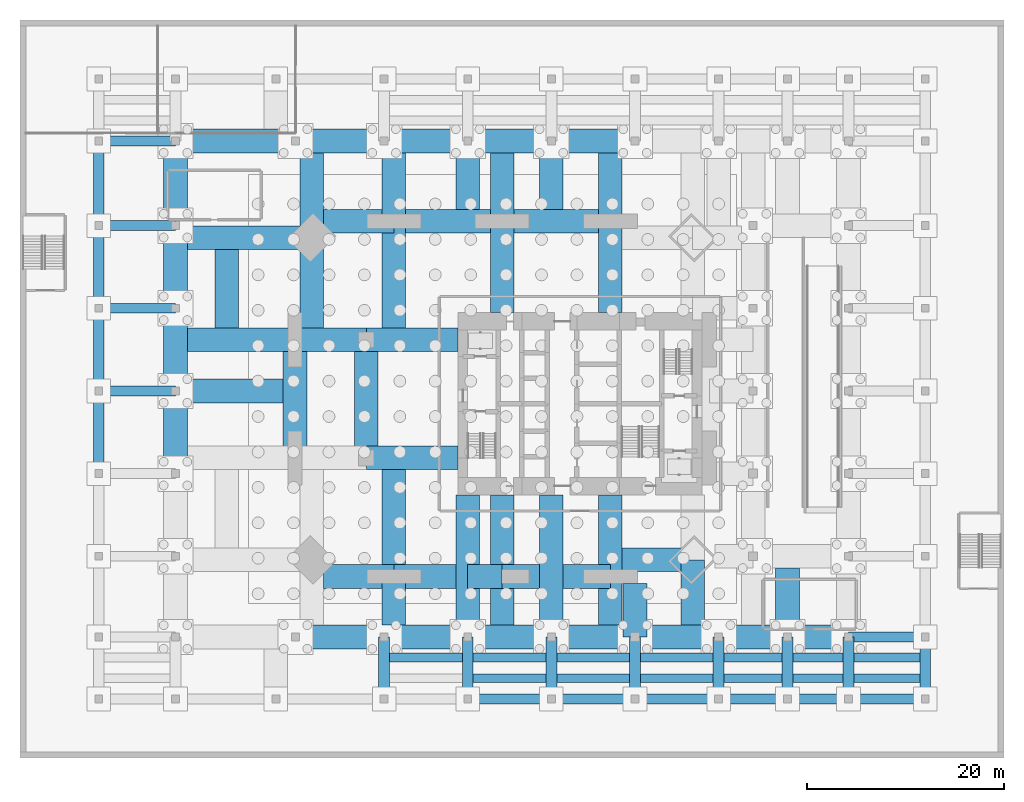
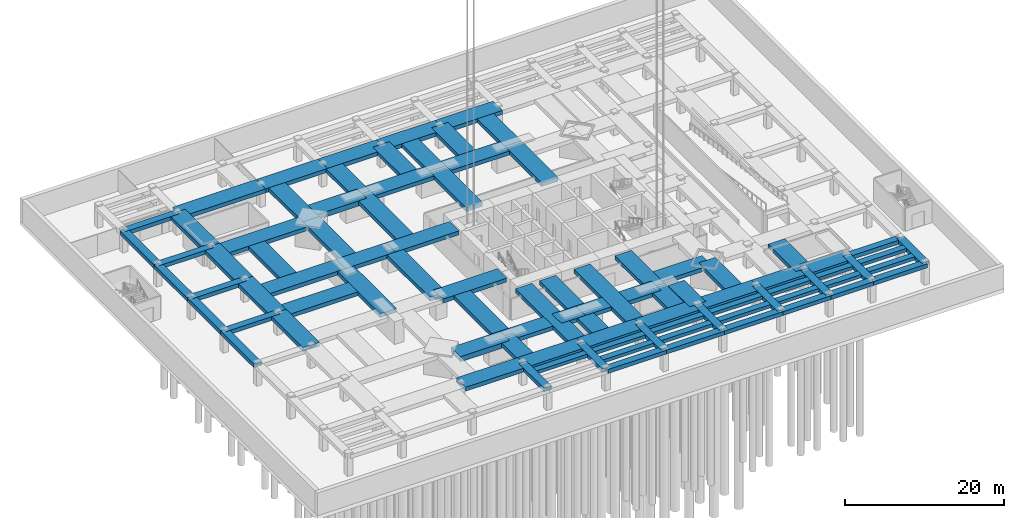
# One storey, part 4 of 15: 91 beams.
"""IFC4 building model written with IfcOpenShell, lengths in metres."""

from ifc_helpers import new_model, si_unit, direction, frame, origin, origin_2d, place, context, subcontext, project, spatial, rectangle, extrude, material, material_profile, profile_set, type_object, element, save


model = new_model("IFC4")

# Units and contexts
model_context = context("Model", 3, precision=1e-05, world=origin(), true_north=direction((0.0, 1.0)))
body_context = subcontext(model_context, "Body", "Model", "MODEL_VIEW")
ifc_project = project(units=[si_unit("LENGTHUNIT", "METRE"), si_unit("AREAUNIT", "SQUARE_METRE"), si_unit("VOLUMEUNIT", "CUBIC_METRE"), si_unit("PLANEANGLEUNIT", "RADIAN"), si_unit("MASSUNIT", "GRAM", prefix="KILO")], contexts=[model_context])

# Site, building, storey
site_placement = place(None, origin())
site = spatial("IfcSite", under=ifc_project, at=site_placement, CompositionType="ELEMENT")
building_placement = place(site_placement, origin())
building = spatial("IfcBuilding", under=site, at=building_placement, Name="Jalousie Tower", CompositionType="ELEMENT")
storey_placement = place(building_placement, frame((0.0, 0.0, -7.5)))
storey = spatial("IfcBuildingStorey", under=building, at=storey_placement, Name="B2", CompositionType="ELEMENT", Elevation=-7.5)

# Beams
ifc_material_1 = material(Name="Concrete f'c 40 MPa", Category="concrete")
ifc_material_profile_1 = material_profile(ifc_material_1, rectangle(XDim=1.0, YDim=0.60009765625, at=origin_2d()), Name="RC 1000x600")
ifc_profile_set_1 = profile_set([ifc_material_profile_1], Name="Concrete f'c 40 MPa")
beam_type_1 = type_object("IfcBeamType", Name="RC BEAM 1000x600", PredefinedType="BEAM", material=ifc_profile_set_1)
for number, where, z_axis, x_axis, name in (
    (1, (-17.0, 19.800048828125, 2.9599609375), (1.0, 0.0, 0.0), (0.0, 1.0, 0.0), "Girder under B1 1-5 east-west"),
    (2, (-17.0, 28.199951171875, 2.9599609375), (1.0, 0.0, 0.0), (0.0, 1.0, 0.0), "Girder under B1 1-6 east-west"),
    (3, (-17.0, 36.60009765625, 2.9599609375), (1.0, 0.0, 0.0), (0.0, 1.0, 0.0), "Girder under B1 1-7 east-west"),
    (4, (-17.0, 45.199951171875, 2.9599609375), (1.0, 0.0, 0.0), (0.0, 1.0, 0.0), "Girder under B1 1-8 east-west"),
):
    element("IfcBeam", number, at=place(storey_placement, frame(where, z_axis=z_axis, x_axis=x_axis)), inside=storey, type_object=beam_type_1, Name=name, PredefinedType="BEAM", context=body_context, shape_type="SweptSolid", body=[
        extrude(rectangle(XDim=1.0, YDim=0.60009765625, at=origin_2d()), origin(), (0.0, 0.0, 1.0), 7.800048828125),
    ])
for number, where, z_axis, x_axis, name in (
    (5, (20.5, -11.5, 2.9599609375), (1.0, 0.0, 0.0), (0.0, 1.0, 0.0), "Girder under B1 5-1 east-west"),
    (6, (29.0, -11.5, 2.9599609375), (1.0, 0.0, 0.0), (0.0, 1.0, 0.0), "Girder under B1 6-1 east-west"),
    (7, (37.5, -11.5, 2.9599609375), (1.0, 0.0, 0.0), (0.0, 1.0, 0.0), "Girder under B1 7-1 east-west"),
):
    element("IfcBeam", number, at=place(storey_placement, frame(where, z_axis=z_axis, x_axis=x_axis)), inside=storey, type_object=beam_type_1, Name=name, PredefinedType="BEAM", context=body_context, shape_type="SweptSolid", body=[
        extrude(rectangle(XDim=1.0, YDim=0.60009765625, at=origin_2d()), origin(), (0.0, 0.0, 1.0), 8.5),
    ])
beam_1_placement = place(storey_placement, frame((46.0, -11.5, 2.9599609375), z_axis=(1.0, 0.0, 0.0), x_axis=(0.0, 1.0, 0.0)))
element("IfcBeam", 8, at=beam_1_placement, inside=storey, type_object=beam_type_1, Name="Girder under B1 8-1 east-west", PredefinedType="BEAM", context=body_context, shape_type="SweptSolid", body=[
    extrude(rectangle(XDim=1.0, YDim=0.60009765625, at=origin_2d()), origin(), (0.0, 0.0, 1.0), 7.0),
])
beam_2_placement = place(storey_placement, frame((53.0, -11.5, 2.9599609375), z_axis=(1.0, 0.0, 0.0), x_axis=(0.0, 1.0, 0.0)))
element("IfcBeam", 9, at=beam_2_placement, inside=storey, type_object=beam_type_1, Name="Girder under B1 9-1 east-west", PredefinedType="BEAM", context=body_context, shape_type="SweptSolid", body=[
    extrude(rectangle(XDim=1.0, YDim=0.60009765625, at=origin_2d()), origin(), (0.0, 0.0, 1.0), 6.199951171875),
])
for number, where, z_axis, x_axis, name in (
    (10, (59.199951171875, -11.5, 2.9599609375), (1.0, 0.0, 0.0), (0.0, 1.0, 0.0), "Girder under B1 10-1 east-west"),
    (11, (59.199951171875, -5.199951171875, 2.9599609375), (1.0, 0.0, 0.0), (0.0, 1.0, 0.0), "Girder under B1 10-2 east-west"),
):
    element("IfcBeam", number, at=place(storey_placement, frame(where, z_axis=z_axis, x_axis=x_axis)), inside=storey, type_object=beam_type_1, Name=name, PredefinedType="BEAM", context=body_context, shape_type="SweptSolid", body=[
        extrude(rectangle(XDim=1.0, YDim=0.60009765625, at=origin_2d()), origin(), (0.0, 0.0, 1.0), 7.800048828125),
    ])
ifc_material_2 = material(Name="Concrete f'c 40 MPa", Category="concrete")
ifc_material_profile_2 = material_profile(ifc_material_2, rectangle(XDim=1.10009765625, YDim=0.60009765625, at=origin_2d()), Name="RC 1100x600")
ifc_profile_set_2 = profile_set([ifc_material_profile_2], Name="Concrete f'c 40 MPa")
beam_type_2 = type_object("IfcBeamType", Name="RC BEAM 1100x600", PredefinedType="BEAM", material=ifc_profile_set_2)
beam_3_placement = place(storey_placement, frame((-17.0, 11.39990234375, 2.9599609375), z_axis=(0.0, 1.0, 0.0), x_axis=(-1.0, 0.0, 0.0)))
element("IfcBeam", 12, at=beam_3_placement, inside=storey, type_object=beam_type_2, Name="Girder under B1 1-4 north-south", PredefinedType="BEAM", context=body_context, shape_type="SweptSolid", body=[
    extrude(rectangle(XDim=1.10009765625, YDim=0.60009765625, at=origin_2d()), origin(), (0.0, 0.0, 1.0), 8.400146484375),
])
beam_4_placement = place(storey_placement, frame((-17.0, 19.800048828125, 2.9599609375), z_axis=(0.0, 1.0, 0.0), x_axis=(-1.0, 0.0, 0.0)))
element("IfcBeam", 13, at=beam_4_placement, inside=storey, type_object=beam_type_2, Name="Girder under B1 1-5 north-south", PredefinedType="BEAM", context=body_context, shape_type="SweptSolid", body=[
    extrude(rectangle(XDim=1.10009765625, YDim=0.60009765625, at=origin_2d()), origin(), (0.0, 0.0, 1.0), 8.39990234375),
])
beam_5_placement = place(storey_placement, frame((-17.0, 28.199951171875, 2.9599609375), z_axis=(0.0, 1.0, 0.0), x_axis=(-1.0, 0.0, 0.0)))
element("IfcBeam", 14, at=beam_5_placement, inside=storey, type_object=beam_type_2, Name="Girder under B1 1-6 north-south", PredefinedType="BEAM", context=body_context, shape_type="SweptSolid", body=[
    extrude(rectangle(XDim=1.10009765625, YDim=0.60009765625, at=origin_2d()), origin(), (0.0, 0.0, 1.0), 8.400146484375),
])
beam_6_placement = place(storey_placement, frame((-17.0, 36.60009765625, 2.9599609375), z_axis=(0.0, 1.0, 0.0), x_axis=(-1.0, 0.0, 0.0)))
element("IfcBeam", 15, at=beam_6_placement, inside=storey, type_object=beam_type_2, Name="Girder under B1 1-7 north-south", PredefinedType="BEAM", context=body_context, shape_type="SweptSolid", body=[
    extrude(rectangle(XDim=1.10009765625, YDim=0.60009765625, at=origin_2d()), origin(), (0.0, 0.0, 1.0), 8.599853515625),
])
for number, where, z_axis, x_axis, name in (
    (16, (12.0, -11.5, 2.9599609375), (0.0, 1.0, 0.0), (-1.0, 0.0, 0.0), "Girder under B1 4-1 north-south"),
    (17, (20.5, -11.5, 2.9599609375), (0.0, 1.0, 0.0), (-1.0, 0.0, 0.0), "Girder under B1 5-1 north-south"),
    (18, (29.0, -11.5, 2.9599609375), (0.0, 1.0, 0.0), (-1.0, 0.0, 0.0), "Girder under B1 6-1 north-south"),
    (19, (37.5, -11.5, 2.9599609375), (0.0, 1.0, 0.0), (-1.0, 0.0, 0.0), "Girder under B1 7-1 north-south"),
    (20, (46.0, -11.5, 2.9599609375), (0.0, 1.0, 0.0), (-1.0, 0.0, 0.0), "Girder under B1 8-1 north-south"),
    (21, (53.0, -11.5, 2.9599609375), (0.0, 1.0, 0.0), (-1.0, 0.0, 0.0), "Girder under B1 9-1 north-south"),
    (22, (59.199951171875, -11.5, 2.9599609375), (0.0, 1.0, 0.0), (-1.0, 0.0, 0.0), "Girder under B1 10-1 north-south"),
    (23, (67.0, -11.5, 2.9599609375), (0.0, 1.0, 0.0), (-1.0, 0.0, 0.0), "Girder under B1 11-1 north-south"),
):
    element("IfcBeam", number, at=place(storey_placement, frame(where, z_axis=z_axis, x_axis=x_axis)), inside=storey, type_object=beam_type_2, Name=name, PredefinedType="BEAM", context=body_context, shape_type="SweptSolid", body=[
        extrude(rectangle(XDim=1.10009765625, YDim=0.60009765625, at=origin_2d()), origin(), (0.0, 0.0, 1.0), 6.300048828125),
    ])
ifc_material_3 = material(Name="Concrete f'c 40 MPa", Category="concrete")
ifc_material_profile_3 = material_profile(ifc_material_3, rectangle(XDim=2.39990234375, YDim=0.60009765625, at=origin_2d()), Name="RC 2400x600")
ifc_profile_set_3 = profile_set([ifc_material_profile_3], Name="Concrete f'c 40 MPa")
beam_type_3 = type_object("IfcBeamType", Name="RC BEAM 2400x600", PredefinedType="BEAM", material=ifc_profile_set_3)
beam_7_placement = place(storey_placement, frame((13.0, 0.949951171875, 2.9599609375), z_axis=(1.0, 0.0, 0.0), x_axis=(0.0, 1.0, 0.0)))
element("IfcBeam", 24, at=beam_7_placement, inside=storey, type_object=beam_type_3, Name="Floor band beam under B1", PredefinedType="BEAM", context=body_context, shape_type="SweptSolid", body=[
    extrude(rectangle(XDim=2.39990234375, YDim=0.60009765625, at=origin_2d()), origin(), (0.0, 0.0, 1.0), 6.300048828125),
])
beam_8_placement = place(storey_placement, frame((20.5, 0.949951171875, 2.9599609375), z_axis=(1.0, 0.0, 0.0), x_axis=(0.0, 1.0, 0.0)))
element("IfcBeam", 25, at=beam_8_placement, inside=storey, type_object=beam_type_3, Name="Floor band beam under B1", PredefinedType="BEAM", context=body_context, shape_type="SweptSolid", body=[
    extrude(rectangle(XDim=2.39990234375, YDim=0.60009765625, at=origin_2d()), origin(), (0.0, 0.0, 1.0), 3.5),
])
beam_9_placement = place(storey_placement, frame((24.0, 0.949951171875, 2.9599609375), z_axis=(1.0, 0.0, 0.0), x_axis=(0.0, 1.0, 0.0)))
element("IfcBeam", 26, at=beam_9_placement, inside=storey, type_object=beam_type_3, Name="Floor band beam under B1", PredefinedType="BEAM", context=body_context, shape_type="SweptSolid", body=[
    extrude(rectangle(XDim=2.39990234375, YDim=0.60009765625, at=origin_2d()), origin(), (0.0, 0.0, 1.0), 3.800048828125),
])
beam_10_placement = place(storey_placement, frame((30.199951171875, 0.949951171875, 2.9599609375), z_axis=(1.0, 0.0, 0.0), x_axis=(0.0, 1.0, 0.0)))
element("IfcBeam", 27, at=beam_10_placement, inside=storey, type_object=beam_type_3, Name="Floor band beam under B1", PredefinedType="BEAM", context=body_context, shape_type="SweptSolid", body=[
    extrude(rectangle(XDim=2.39990234375, YDim=0.60009765625, at=origin_2d()), origin(), (0.0, 0.0, 1.0), 4.800048828125),
])
for number, where, z_axis, x_axis, name in (
    (28, (35.0, 37.050048828125, 2.9599609375), (-1.0, 0.0, 0.0), (0.0, -1.0, 0.0), "Floor band beam under B1"),
    (29, (24.0, 37.050048828125, 2.9599609375), (-1.0, 0.0, 0.0), (0.0, -1.0, 0.0), "Floor band beam under B1"),
):
    element("IfcBeam", number, at=place(storey_placement, frame(where, z_axis=z_axis, x_axis=x_axis)), inside=storey, type_object=beam_type_3, Name=name, PredefinedType="BEAM", context=body_context, shape_type="SweptSolid", body=[
        extrude(rectangle(XDim=2.39990234375, YDim=0.60009765625, at=origin_2d()), origin(), (0.0, 0.0, 1.0), 11.0),
    ])
beam_11_placement = place(storey_placement, frame((2.949951171875, 25.0, 2.9599609375), z_axis=(0.0, -1.0, 0.0), x_axis=(1.0, 0.0, 0.0)))
element("IfcBeam", 30, at=beam_11_placement, inside=storey, type_object=beam_type_3, Name="Floor band beam under B1", PredefinedType="BEAM", context=body_context, shape_type="SweptSolid", body=[
    extrude(rectangle(XDim=2.39990234375, YDim=0.60009765625, at=origin_2d()), origin(), (0.0, 0.0, 1.0), 12.0),
])
beam_12_placement = place(storey_placement, frame((-9.199951171875, 11.39990234375, 2.9599609375), z_axis=(0.0, 1.0, 0.0), x_axis=(-1.0, 0.0, 0.0)))
element("IfcBeam", 31, at=beam_12_placement, inside=storey, type_object=beam_type_3, Name="Floor band beam under B1", PredefinedType="BEAM", context=body_context, shape_type="SweptSolid", body=[
    extrude(rectangle(XDim=2.39990234375, YDim=0.60009765625, at=origin_2d()), origin(), (0.0, 0.0, 1.0), 8.400146484375),
])
beam_13_placement = place(storey_placement, frame((-9.199951171875, 19.800048828125, 2.9599609375), z_axis=(0.0, 1.0, 0.0), x_axis=(-1.0, 0.0, 0.0)))
element("IfcBeam", 32, at=beam_13_placement, inside=storey, type_object=beam_type_3, Name="Floor band beam under B1", PredefinedType="BEAM", context=body_context, shape_type="SweptSolid", body=[
    extrude(rectangle(XDim=2.39990234375, YDim=0.60009765625, at=origin_2d()), origin(), (0.0, 0.0, 1.0), 8.39990234375),
])
beam_14_placement = place(storey_placement, frame((-9.199951171875, 28.199951171875, 2.9599609375), z_axis=(0.0, 1.0, 0.0), x_axis=(-1.0, 0.0, 0.0)))
element("IfcBeam", 33, at=beam_14_placement, inside=storey, type_object=beam_type_3, Name="Floor band beam under B1", PredefinedType="BEAM", context=body_context, shape_type="SweptSolid", body=[
    extrude(rectangle(XDim=2.39990234375, YDim=0.60009765625, at=origin_2d()), origin(), (0.0, 0.0, 1.0), 8.400146484375),
])
beam_15_placement = place(storey_placement, frame((-9.199951171875, 36.60009765625, 2.9599609375), z_axis=(0.0, 1.0, 0.0), x_axis=(-1.0, 0.0, 0.0)))
element("IfcBeam", 34, at=beam_15_placement, inside=storey, type_object=beam_type_3, Name="Floor band beam under B1", PredefinedType="BEAM", context=body_context, shape_type="SweptSolid", body=[
    extrude(rectangle(XDim=2.39990234375, YDim=0.60009765625, at=origin_2d()), origin(), (0.0, 0.0, 1.0), 8.599853515625),
])
beam_16_placement = place(storey_placement, frame((-9.199951171875, 45.199951171875, 2.9599609375), z_axis=(1.0, 0.0, 0.0), x_axis=(0.0, 1.0, 0.0)))
element("IfcBeam", 35, at=beam_16_placement, inside=storey, type_object=beam_type_3, Name="Floor band beam under B1", PredefinedType="BEAM", context=body_context, shape_type="SweptSolid", body=[
    extrude(rectangle(XDim=2.39990234375, YDim=0.60009765625, at=origin_2d()), origin(), (0.0, 0.0, 1.0), 12.199951171875),
])
beam_17_placement = place(storey_placement, frame((2.949951171875, 25.0, 2.9599609375), z_axis=(1.0, 0.0, 0.0), x_axis=(0.0, 1.0, 0.0)))
element("IfcBeam", 36, at=beam_17_placement, inside=storey, type_object=beam_type_3, Name="Floor band beam under B1", PredefinedType="BEAM", context=body_context, shape_type="SweptSolid", body=[
    extrude(rectangle(XDim=2.39990234375, YDim=0.60009765625, at=origin_2d()), origin(), (0.0, 0.0, 1.0), 7.25),
])
for number, where, z_axis, x_axis, name in (
    (37, (3.0, -5.199951171875, 2.9599609375), (1.0, 0.0, 0.0), (0.0, 1.0, 0.0), "Floor band beam under B1"),
    (38, (3.0, 45.199951171875, 2.9599609375), (1.0, 0.0, 0.0), (0.0, 1.0, 0.0), "Floor band beam under B1"),
):
    element("IfcBeam", number, at=place(storey_placement, frame(where, z_axis=z_axis, x_axis=x_axis)), inside=storey, type_object=beam_type_3, Name=name, PredefinedType="BEAM", context=body_context, shape_type="SweptSolid", body=[
        extrude(rectangle(XDim=2.39990234375, YDim=0.60009765625, at=origin_2d()), origin(), (0.0, 0.0, 1.0), 9.0),
    ])
beam_18_placement = place(storey_placement, frame((10.199951171875, 13.0, 2.9599609375), z_axis=(1.0, 0.0, 0.0), x_axis=(0.0, 1.0, 0.0)))
element("IfcBeam", 39, at=beam_18_placement, inside=storey, type_object=beam_type_3, Name="Floor band beam under B1", PredefinedType="BEAM", context=body_context, shape_type="SweptSolid", body=[
    extrude(rectangle(XDim=2.39990234375, YDim=0.60009765625, at=origin_2d()), origin(), (0.0, 0.0, 1.0), 9.300048828125),
])
beam_19_placement = place(storey_placement, frame((10.199951171875, 13.0, 2.9599609375), z_axis=(0.0, 1.0, 0.0), x_axis=(-1.0, 0.0, 0.0)))
element("IfcBeam", 40, at=beam_19_placement, inside=storey, type_object=beam_type_3, Name="Floor band beam under B1", PredefinedType="BEAM", context=body_context, shape_type="SweptSolid", body=[
    extrude(rectangle(XDim=2.39990234375, YDim=0.60009765625, at=origin_2d()), origin(), (0.0, 0.0, 1.0), 12.0),
])
beam_20_placement = place(storey_placement, frame((10.199951171875, 25.0, 2.9599609375), z_axis=(1.0, 0.0, 0.0), x_axis=(0.0, 1.0, 0.0)))
element("IfcBeam", 41, at=beam_20_placement, inside=storey, type_object=beam_type_3, Name="Floor band beam under B1", PredefinedType="BEAM", context=body_context, shape_type="SweptSolid", body=[
    extrude(rectangle(XDim=2.39990234375, YDim=0.60009765625, at=origin_2d()), origin(), (0.0, 0.0, 1.0), 9.300048828125),
])
for number, where, z_axis, x_axis, name in (
    (42, (12.0, -5.199951171875, 2.9599609375), (1.0, 0.0, 0.0), (0.0, 1.0, 0.0), "Floor band beam under B1"),
    (43, (12.0, 45.199951171875, 2.9599609375), (1.0, 0.0, 0.0), (0.0, 1.0, 0.0), "Floor band beam under B1"),
    (44, (20.5, -5.199951171875, 2.9599609375), (1.0, 0.0, 0.0), (0.0, 1.0, 0.0), "Floor band beam under B1"),
):
    element("IfcBeam", number, at=place(storey_placement, frame(where, z_axis=z_axis, x_axis=x_axis)), inside=storey, type_object=beam_type_3, Name=name, PredefinedType="BEAM", context=body_context, shape_type="SweptSolid", body=[
        extrude(rectangle(XDim=2.39990234375, YDim=0.60009765625, at=origin_2d()), origin(), (0.0, 0.0, 1.0), 8.5),
    ])
beam_21_placement = place(storey_placement, frame((20.5, -5.199951171875, 2.9599609375), z_axis=(0.0, 1.0, 0.0), x_axis=(-1.0, 0.0, 0.0)))
element("IfcBeam", 45, at=beam_21_placement, inside=storey, type_object=beam_type_3, Name="Floor band beam under B1", PredefinedType="BEAM", context=body_context, shape_type="SweptSolid", body=[
    extrude(rectangle(XDim=2.39990234375, YDim=0.60009765625, at=origin_2d()), origin(), (0.0, 0.0, 1.0), 14.449951171875),
])
beam_22_placement = place(storey_placement, frame((20.5, 45.199951171875, 2.9599609375), z_axis=(1.0, 0.0, 0.0), x_axis=(0.0, 1.0, 0.0)))
element("IfcBeam", 46, at=beam_22_placement, inside=storey, type_object=beam_type_3, Name="Floor band beam under B1", PredefinedType="BEAM", context=body_context, shape_type="SweptSolid", body=[
    extrude(rectangle(XDim=2.39990234375, YDim=0.60009765625, at=origin_2d()), origin(), (0.0, 0.0, 1.0), 8.5),
])
beam_23_placement = place(storey_placement, frame((24.0, 0.949951171875, 2.9599609375), z_axis=(0.0, 1.0, 0.0), x_axis=(-1.0, 0.0, 0.0)))
element("IfcBeam", 47, at=beam_23_placement, inside=storey, type_object=beam_type_3, Name="Floor band beam under B1", PredefinedType="BEAM", context=body_context, shape_type="SweptSolid", body=[
    extrude(rectangle(XDim=2.39990234375, YDim=0.60009765625, at=origin_2d()), origin(), (0.0, 0.0, 1.0), 8.300048828125),
])
beam_24_placement = place(storey_placement, frame((24.0, 37.050048828125, 2.9599609375), z_axis=(0.0, -1.0, 0.0), x_axis=(1.0, 0.0, 0.0)))
element("IfcBeam", 48, at=beam_24_placement, inside=storey, type_object=beam_type_3, Name="Floor band beam under B1", PredefinedType="BEAM", context=body_context, shape_type="SweptSolid", body=[
    extrude(rectangle(XDim=2.39990234375, YDim=0.60009765625, at=origin_2d()), origin(), (0.0, 0.0, 1.0), 9.300048828125),
])
beam_25_placement = place(storey_placement, frame((29.0, -5.199951171875, 2.9599609375), z_axis=(1.0, 0.0, 0.0), x_axis=(0.0, 1.0, 0.0)))
element("IfcBeam", 49, at=beam_25_placement, inside=storey, type_object=beam_type_3, Name="Floor band beam under B1", PredefinedType="BEAM", context=body_context, shape_type="SweptSolid", body=[
    extrude(rectangle(XDim=2.39990234375, YDim=0.60009765625, at=origin_2d()), origin(), (0.0, 0.0, 1.0), 8.5),
])
beam_26_placement = place(storey_placement, frame((29.0, -5.199951171875, 2.9599609375), z_axis=(0.0, 1.0, 0.0), x_axis=(-1.0, 0.0, 0.0)))
element("IfcBeam", 50, at=beam_26_placement, inside=storey, type_object=beam_type_3, Name="Floor band beam under B1", PredefinedType="BEAM", context=body_context, shape_type="SweptSolid", body=[
    extrude(rectangle(XDim=2.39990234375, YDim=0.60009765625, at=origin_2d()), origin(), (0.0, 0.0, 1.0), 14.449951171875),
])
beam_27_placement = place(storey_placement, frame((29.0, 45.199951171875, 2.9599609375), z_axis=(1.0, 0.0, 0.0), x_axis=(0.0, 1.0, 0.0)))
element("IfcBeam", 51, at=beam_27_placement, inside=storey, type_object=beam_type_3, Name="Floor band beam under B1", PredefinedType="BEAM", context=body_context, shape_type="SweptSolid", body=[
    extrude(rectangle(XDim=2.39990234375, YDim=0.60009765625, at=origin_2d()), origin(), (0.0, 0.0, 1.0), 8.5),
])
beam_28_placement = place(storey_placement, frame((35.0, 0.949951171875, 2.9599609375), z_axis=(0.0, 1.0, 0.0), x_axis=(-1.0, 0.0, 0.0)))
element("IfcBeam", 52, at=beam_28_placement, inside=storey, type_object=beam_type_3, Name="Floor band beam under B1", PredefinedType="BEAM", context=body_context, shape_type="SweptSolid", body=[
    extrude(rectangle(XDim=2.39990234375, YDim=0.60009765625, at=origin_2d()), origin(), (0.0, 0.0, 1.0), 8.300048828125),
])
beam_29_placement = place(storey_placement, frame((35.0, 37.050048828125, 2.9599609375), z_axis=(0.0, -1.0, 0.0), x_axis=(1.0, 0.0, 0.0)))
element("IfcBeam", 53, at=beam_29_placement, inside=storey, type_object=beam_type_3, Name="Floor band beam under B1", PredefinedType="BEAM", context=body_context, shape_type="SweptSolid", body=[
    extrude(rectangle(XDim=2.39990234375, YDim=0.60009765625, at=origin_2d()), origin(), (0.0, 0.0, 1.0), 9.300048828125),
])
beam_30_placement = place(storey_placement, frame((37.5, -5.199951171875, 2.9599609375), z_axis=(1.0, 0.0, 0.0), x_axis=(0.0, 1.0, 0.0)))
element("IfcBeam", 54, at=beam_30_placement, inside=storey, type_object=beam_type_3, Name="Floor band beam under B1", PredefinedType="BEAM", context=body_context, shape_type="SweptSolid", body=[
    extrude(rectangle(XDim=2.39990234375, YDim=0.60009765625, at=origin_2d()), origin(), (0.0, 0.0, 1.0), 8.5),
])
beam_31_placement = place(storey_placement, frame((37.5, -5.199951171875, 2.9599609375), z_axis=(0.0, 1.0, 0.0), x_axis=(-1.0, 0.0, 0.0)))
element("IfcBeam", 55, at=beam_31_placement, inside=storey, type_object=beam_type_3, Name="Floor band beam under B1", PredefinedType="BEAM", context=body_context, shape_type="SweptSolid", body=[
    extrude(rectangle(XDim=2.39990234375, YDim=0.60009765625, at=origin_2d()), origin(), (0.0, 0.0, 1.0), 5.425048828125),
])
beam_32_placement = place(storey_placement, frame((46.0, -5.199951171875, 2.9599609375), z_axis=(1.0, 0.0, 0.0), x_axis=(0.0, 1.0, 0.0)))
element("IfcBeam", 56, at=beam_32_placement, inside=storey, type_object=beam_type_3, Name="Floor band beam under B1", PredefinedType="BEAM", context=body_context, shape_type="SweptSolid", body=[
    extrude(rectangle(XDim=2.39990234375, YDim=0.60009765625, at=origin_2d()), origin(), (0.0, 0.0, 1.0), 7.0),
])
beam_33_placement = place(storey_placement, frame((53.0, -5.199951171875, 2.9599609375), z_axis=(1.0, 0.0, 0.0), x_axis=(0.0, 1.0, 0.0)))
element("IfcBeam", 57, at=beam_33_placement, inside=storey, type_object=beam_type_3, Name="Floor band beam under B1", PredefinedType="BEAM", context=body_context, shape_type="SweptSolid", body=[
    extrude(rectangle(XDim=2.39990234375, YDim=0.60009765625, at=origin_2d()), origin(), (0.0, 0.0, 1.0), 6.199951171875),
])
for number, where, z_axis, x_axis, name in (
    (58, (-9.199951171875, 19.800048828125, 2.9599609375), (1.0, 0.0, 0.0), (0.0, 1.0, 0.0), "Floor band beam under B1"),
    (59, (2.949951171875, 25.0, 2.9599609375), (-1.0, 0.0, 0.0), (0.0, -1.0, 0.0), "Floor band beam under B1"),
):
    element("IfcBeam", number, at=place(storey_placement, frame(where, z_axis=z_axis, x_axis=x_axis)), inside=storey, type_object=beam_type_3, Name=name, PredefinedType="BEAM", context=body_context, shape_type="SweptSolid", body=[
        extrude(rectangle(XDim=2.39990234375, YDim=0.60009765625, at=origin_2d()), origin(), (0.0, 0.0, 1.0), 10.949951171875),
    ])
beam_34_placement = place(storey_placement, frame((4.63134765625, 35.36865234375, 2.9599609375), z_axis=(-1.0, 0.0, 0.0), x_axis=(0.0, -1.0, 0.0)))
element("IfcBeam", 60, at=beam_34_placement, inside=storey, type_object=beam_type_3, Name="Floor band beam under B1", PredefinedType="BEAM", context=body_context, shape_type="SweptSolid", body=[
    extrude(rectangle(XDim=2.39990234375, YDim=0.60009765625, at=origin_2d()), origin(), (0.0, 0.0, 1.0), 12.63134765625),
])
beam_35_placement = place(storey_placement, frame((4.63134765625, 35.36865234375, 2.9599609375), z_axis=(0.0, 1.0, 0.0), x_axis=(-1.0, 0.0, 0.0)))
element("IfcBeam", 61, at=beam_35_placement, inside=storey, type_object=beam_type_3, Name="Floor band beam under B1", PredefinedType="BEAM", context=body_context, shape_type="SweptSolid", body=[
    extrude(rectangle(XDim=2.39990234375, YDim=0.60009765625, at=origin_2d()), origin(), (0.0, 0.0, 1.0), 8.63134765625),
])
beam_36_placement = place(storey_placement, frame((4.63134765625, 35.36865234375, 2.9599609375), z_axis=(0.0, -1.0, 0.0), x_axis=(1.0, 0.0, 0.0)))
element("IfcBeam", 62, at=beam_36_placement, inside=storey, type_object=beam_type_3, Name="Floor band beam under B1", PredefinedType="BEAM", context=body_context, shape_type="SweptSolid", body=[
    extrude(rectangle(XDim=2.39990234375, YDim=0.60009765625, at=origin_2d()), origin(), (0.0, 0.0, 1.0), 9.168701171875),
])
beam_37_placement = place(storey_placement, frame((13.0, 0.949951171875, 2.9599609375), z_axis=(0.0, 1.0, 0.0), x_axis=(-1.0, 0.0, 0.0)))
element("IfcBeam", 63, at=beam_37_placement, inside=storey, type_object=beam_type_3, Name="Floor band beam under B1", PredefinedType="BEAM", context=body_context, shape_type="SweptSolid", body=[
    extrude(rectangle(XDim=2.39990234375, YDim=0.60009765625, at=origin_2d()), origin(), (0.0, 0.0, 1.0), 10.85009765625),
])
beam_38_placement = place(storey_placement, frame((13.0, 0.949951171875, 2.9599609375), z_axis=(0.0, -1.0, 0.0), x_axis=(1.0, 0.0, 0.0)))
element("IfcBeam", 64, at=beam_38_placement, inside=storey, type_object=beam_type_3, Name="Floor band beam under B1", PredefinedType="BEAM", context=body_context, shape_type="SweptSolid", body=[
    extrude(rectangle(XDim=2.39990234375, YDim=0.60009765625, at=origin_2d()), origin(), (0.0, 0.0, 1.0), 4.949951171875),
])
beam_39_placement = place(storey_placement, frame((13.0, 37.050048828125, 2.9599609375), z_axis=(0.0, 1.0, 0.0), x_axis=(-1.0, 0.0, 0.0)))
element("IfcBeam", 65, at=beam_39_placement, inside=storey, type_object=beam_type_3, Name="Floor band beam under B1", PredefinedType="BEAM", context=body_context, shape_type="SweptSolid", body=[
    extrude(rectangle(XDim=2.39990234375, YDim=0.60009765625, at=origin_2d()), origin(), (0.0, 0.0, 1.0), 6.949951171875),
])
beam_40_placement = place(storey_placement, frame((13.0, 37.050048828125, 2.9599609375), z_axis=(0.0, -1.0, 0.0), x_axis=(1.0, 0.0, 0.0)))
element("IfcBeam", 66, at=beam_40_placement, inside=storey, type_object=beam_type_3, Name="Floor band beam under B1", PredefinedType="BEAM", context=body_context, shape_type="SweptSolid", body=[
    extrude(rectangle(XDim=2.39990234375, YDim=0.60009765625, at=origin_2d()), origin(), (0.0, 0.0, 1.0), 10.85009765625),
])
beam_41_placement = place(storey_placement, frame((20.5, 45.199951171875, 2.9599609375), z_axis=(0.0, -1.0, 0.0), x_axis=(1.0, 0.0, 0.0)))
element("IfcBeam", 67, at=beam_41_placement, inside=storey, type_object=beam_type_3, Name="Floor band beam under B1", PredefinedType="BEAM", context=body_context, shape_type="SweptSolid", body=[
    extrude(rectangle(XDim=2.39990234375, YDim=0.60009765625, at=origin_2d()), origin(), (0.0, 0.0, 1.0), 6.949951171875),
])
beam_42_placement = place(storey_placement, frame((24.0, 0.949951171875, 2.9599609375), z_axis=(0.0, -1.0, 0.0), x_axis=(1.0, 0.0, 0.0)))
element("IfcBeam", 68, at=beam_42_placement, inside=storey, type_object=beam_type_3, Name="Floor band beam under B1", PredefinedType="BEAM", context=body_context, shape_type="SweptSolid", body=[
    extrude(rectangle(XDim=2.39990234375, YDim=0.60009765625, at=origin_2d()), origin(), (0.0, 0.0, 1.0), 4.949951171875),
])
for number, where, z_axis, x_axis, name in (
    (69, (24.0, 37.050048828125, 2.9599609375), (0.0, 1.0, 0.0), (-1.0, 0.0, 0.0), "Floor band beam under B1"),
    (70, (29.0, 45.199951171875, 2.9599609375), (0.0, -1.0, 0.0), (1.0, 0.0, 0.0), "Floor band beam under B1"),
):
    element("IfcBeam", number, at=place(storey_placement, frame(where, z_axis=z_axis, x_axis=x_axis)), inside=storey, type_object=beam_type_3, Name=name, PredefinedType="BEAM", context=body_context, shape_type="SweptSolid", body=[
        extrude(rectangle(XDim=2.39990234375, YDim=0.60009765625, at=origin_2d()), origin(), (0.0, 0.0, 1.0), 6.949951171875),
    ])
beam_43_placement = place(storey_placement, frame((35.0, 0.949951171875, 2.9599609375), z_axis=(0.0, -1.0, 0.0), x_axis=(1.0, 0.0, 0.0)))
element("IfcBeam", 71, at=beam_43_placement, inside=storey, type_object=beam_type_3, Name="Floor band beam under B1", PredefinedType="BEAM", context=body_context, shape_type="SweptSolid", body=[
    extrude(rectangle(XDim=2.39990234375, YDim=0.60009765625, at=origin_2d()), origin(), (0.0, 0.0, 1.0), 4.949951171875),
])
beam_44_placement = place(storey_placement, frame((35.0, 37.050048828125, 2.9599609375), z_axis=(0.0, 1.0, 0.0), x_axis=(-1.0, 0.0, 0.0)))
element("IfcBeam", 72, at=beam_44_placement, inside=storey, type_object=beam_type_3, Name="Floor band beam under B1", PredefinedType="BEAM", context=body_context, shape_type="SweptSolid", body=[
    extrude(rectangle(XDim=2.39990234375, YDim=0.60009765625, at=origin_2d()), origin(), (0.0, 0.0, 1.0), 6.949951171875),
])
beam_45_placement = place(storey_placement, frame((43.36865234375, 2.63134765625, 2.9599609375), z_axis=(-1.0, 0.0, 0.0), x_axis=(0.0, -1.0, 0.0)))
element("IfcBeam", 73, at=beam_45_placement, inside=storey, type_object=beam_type_3, Name="Floor band beam under B1", PredefinedType="BEAM", context=body_context, shape_type="SweptSolid", body=[
    extrude(rectangle(XDim=2.39990234375, YDim=0.60009765625, at=origin_2d()), origin(), (0.0, 0.0, 1.0), 7.168701171875),
])
beam_46_placement = place(storey_placement, frame((43.36865234375, 2.63134765625, 2.9599609375), z_axis=(0.0, -1.0, 0.0), x_axis=(1.0, 0.0, 0.0)))
element("IfcBeam", 74, at=beam_46_placement, inside=storey, type_object=beam_type_3, Name="Floor band beam under B1", PredefinedType="BEAM", context=body_context, shape_type="SweptSolid", body=[
    extrude(rectangle(XDim=2.39990234375, YDim=0.60009765625, at=origin_2d()), origin(), (0.0, 0.0, 1.0), 6.63134765625),
])
beam_47_placement = place(storey_placement, frame((53.0, -5.199951171875, 2.9599609375), z_axis=(0.0, 1.0, 0.0), x_axis=(-1.0, 0.0, 0.0)))
element("IfcBeam", 75, at=beam_47_placement, inside=storey, type_object=beam_type_3, Name="Floor band beam under B1", PredefinedType="BEAM", context=body_context, shape_type="SweptSolid", body=[
    extrude(rectangle(XDim=2.39990234375, YDim=0.60009765625, at=origin_2d()), origin(), (0.0, 0.0, 1.0), 7.0),
])
beam_48_placement = place(storey_placement, frame((-4.0, 26.199951171875, 2.9599609375), z_axis=(0.0, 1.0, 0.0), x_axis=(-1.0, 0.0, 0.0)))
element("IfcBeam", 76, at=beam_48_placement, inside=storey, type_object=beam_type_3, Name="Floor band beam under B1", PredefinedType="BEAM", context=body_context, shape_type="SweptSolid", body=[
    extrude(rectangle(XDim=2.39990234375, YDim=0.60009765625, at=origin_2d()), origin(), (0.0, 0.0, 1.0), 7.96875),
])
ifc_material_4 = material(Name="Concrete f'c 40 MPa", Category="concrete")
ifc_material_profile_4 = material_profile(ifc_material_4, rectangle(XDim=2.39990234375, YDim=0.800048828125, at=origin_2d()), Name="RC 2400x800")
ifc_profile_set_4 = profile_set([ifc_material_profile_4], Name="Concrete f'c 40 MPa")
beam_type_4 = type_object("IfcBeamType", Name="RC BEAM 2400x800", PredefinedType="BEAM", material=ifc_profile_set_4)
for number, where, z_axis, x_axis, name in (
    (77, (13.0, 0.949951171875, 2.860107421875), (-1.0, 0.0, 0.0), (0.0, -1.0, 0.0), "Floor band beam under B1"),
    (78, (13.0, 37.050048828125, 2.860107421875), (-1.0, 0.0, 0.0), (0.0, -1.0, 0.0), "Floor band beam under B1"),
):
    element("IfcBeam", number, at=place(storey_placement, frame(where, z_axis=z_axis, x_axis=x_axis)), inside=storey, type_object=beam_type_4, Name=name, PredefinedType="BEAM", context=body_context, shape_type="SweptSolid", body=[
        extrude(rectangle(XDim=2.39990234375, YDim=0.800048828125, at=origin_2d()), origin(), (0.0, 0.0, 1.0), 7.168701171875),
    ])
ifc_material_5 = material(Name="Concrete f'c 40 MPa", Category="concrete")
ifc_material_profile_5 = material_profile(ifc_material_5, rectangle(XDim=0.89990234375, YDim=0.5, at=origin_2d()), Name="RC 900x500")
ifc_profile_set_5 = profile_set([ifc_material_profile_5], Name="Concrete f'c 40 MPa")
beam_type_5 = type_object("IfcBeamType", Name="RC BEAM 900x500", PredefinedType="BEAM", material=ifc_profile_set_5)
for number, where, z_axis, x_axis, name in (
    (79, (12.550048828125, -7.300048828125, 3.010009765625), (1.0, 0.0, 0.0), (0.0, 1.0, 0.0), "Secondary beam 2 under B1 bay 4-1"),
    (80, (21.050048828125, -9.39990234375, 3.010009765625), (1.0, 0.0, 0.0), (0.0, 1.0, 0.0), "Secondary beam 1 under B1 bay 5-1"),
    (81, (21.050048828125, -7.300048828125, 3.010009765625), (1.0, 0.0, 0.0), (0.0, 1.0, 0.0), "Secondary beam 2 under B1 bay 5-1"),
    (82, (29.550048828125, -9.39990234375, 3.010009765625), (1.0, 0.0, 0.0), (0.0, 1.0, 0.0), "Secondary beam 1 under B1 bay 6-1"),
    (83, (29.550048828125, -7.300048828125, 3.010009765625), (1.0, 0.0, 0.0), (0.0, 1.0, 0.0), "Secondary beam 2 under B1 bay 6-1"),
    (84, (38.050048828125, -9.39990234375, 3.010009765625), (1.0, 0.0, 0.0), (0.0, 1.0, 0.0), "Secondary beam 1 under B1 bay 7-1"),
    (85, (38.050048828125, -7.300048828125, 3.010009765625), (1.0, 0.0, 0.0), (0.0, 1.0, 0.0), "Secondary beam 2 under B1 bay 7-1"),
):
    element("IfcBeam", number, at=place(storey_placement, frame(where, z_axis=z_axis, x_axis=x_axis)), inside=storey, type_object=beam_type_5, Name=name, PredefinedType="BEAM", context=body_context, shape_type="SweptSolid", body=[
        extrude(rectangle(XDim=0.89990234375, YDim=0.5, at=origin_2d()), origin(), (0.0, 0.0, 1.0), 7.39990234375),
    ])
for number, where, z_axis, x_axis, name in (
    (86, (46.550048828125, -9.39990234375, 3.010009765625), (1.0, 0.0, 0.0), (0.0, 1.0, 0.0), "Secondary beam 1 under B1 bay 8-1"),
    (87, (46.550048828125, -7.300048828125, 3.010009765625), (1.0, 0.0, 0.0), (0.0, 1.0, 0.0), "Secondary beam 2 under B1 bay 8-1"),
):
    element("IfcBeam", number, at=place(storey_placement, frame(where, z_axis=z_axis, x_axis=x_axis)), inside=storey, type_object=beam_type_5, Name=name, PredefinedType="BEAM", context=body_context, shape_type="SweptSolid", body=[
        extrude(rectangle(XDim=0.89990234375, YDim=0.5, at=origin_2d()), origin(), (0.0, 0.0, 1.0), 5.89990234375),
    ])
for number, where, z_axis, x_axis, name in (
    (88, (53.550048828125, -9.39990234375, 3.010009765625), (1.0, 0.0, 0.0), (0.0, 1.0, 0.0), "Secondary beam 1 under B1 bay 9-1"),
    (89, (53.550048828125, -7.300048828125, 3.010009765625), (1.0, 0.0, 0.0), (0.0, 1.0, 0.0), "Secondary beam 2 under B1 bay 9-1"),
):
    element("IfcBeam", number, at=place(storey_placement, frame(where, z_axis=z_axis, x_axis=x_axis)), inside=storey, type_object=beam_type_5, Name=name, PredefinedType="BEAM", context=body_context, shape_type="SweptSolid", body=[
        extrude(rectangle(XDim=0.89990234375, YDim=0.5, at=origin_2d()), origin(), (0.0, 0.0, 1.0), 5.099853515625),
    ])
for number, where, z_axis, x_axis, name in (
    (90, (59.75, -9.39990234375, 3.010009765625), (1.0, 0.0, 0.0), (0.0, 1.0, 0.0), "Secondary beam 1 under B1 bay 10-1"),
    (91, (59.75, -7.300048828125, 3.010009765625), (1.0, 0.0, 0.0), (0.0, 1.0, 0.0), "Secondary beam 2 under B1 bay 10-1"),
):
    element("IfcBeam", number, at=place(storey_placement, frame(where, z_axis=z_axis, x_axis=x_axis)), inside=storey, type_object=beam_type_5, Name=name, PredefinedType="BEAM", context=body_context, shape_type="SweptSolid", body=[
        extrude(rectangle(XDim=0.89990234375, YDim=0.5, at=origin_2d()), origin(), (0.0, 0.0, 1.0), 6.699951171875),
    ])

save(model, "model.ifc")
